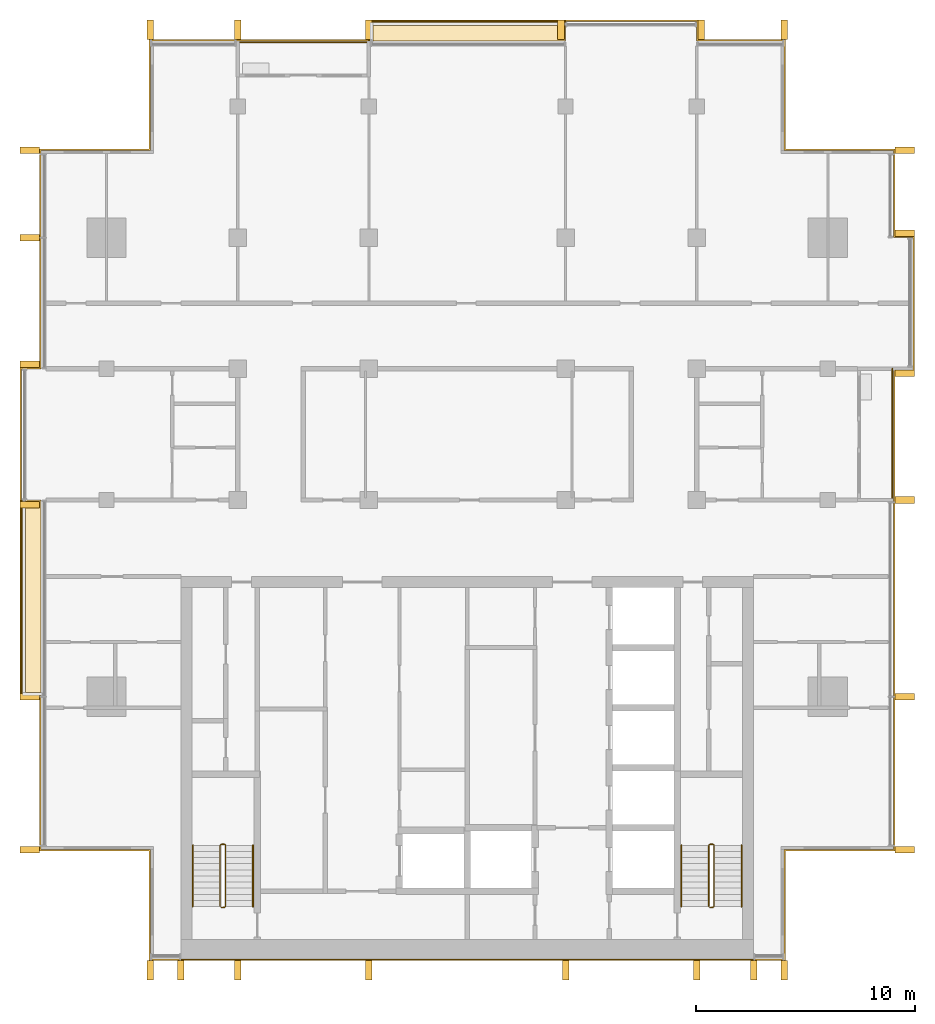
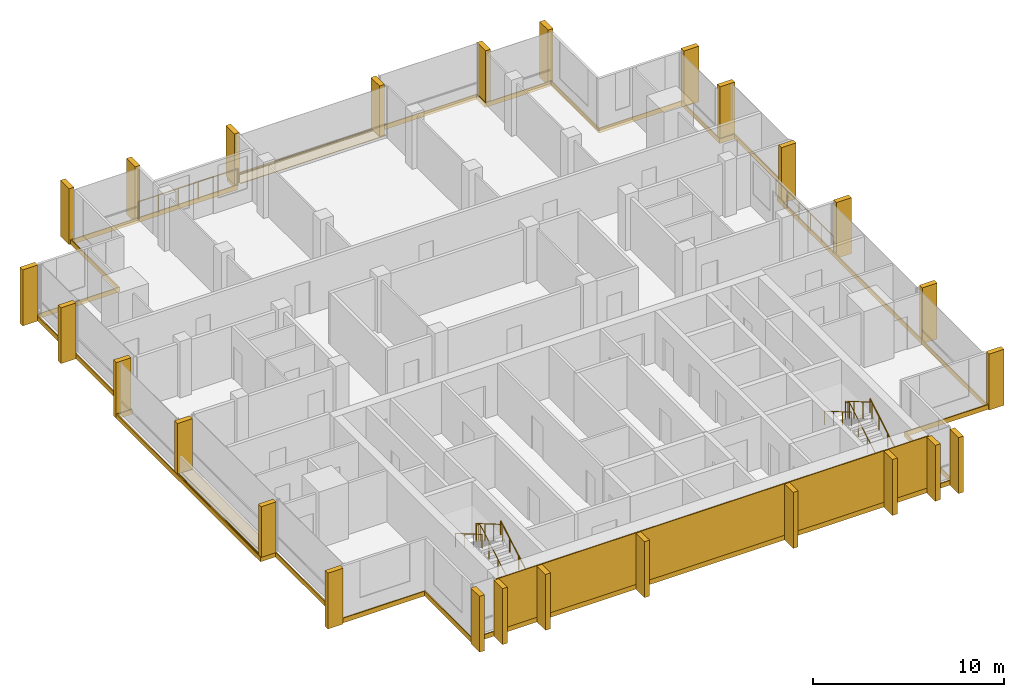
# One storey, part 15 of 15: 26 shading devices, 10 coverings, 8 railings.
"""IFC4 building model written with IfcOpenShell, lengths in metres."""

import ifcopenshell
import ifcopenshell.guid

model = None  # the IFC model being written
_history = None  # IfcOwnerHistory: only IFC2X3 demands one
_inside = {}  # id of a spatial element -> (the spatial element, [elements in it])
_under = {}  # id of a project, library or spatial element -> (it, [spatial elements below it])
_declared = {}  # id of a project -> (the project, [libraries it declares])
_typed = {}  # id of a type object -> (the type object, [elements of that type])
_made_of = {}  # id of a material, layer set ... -> (it, [elements and type objects made of it])


def new_model(schema):
    """Start an empty IFC model of exactly this schema.

    Asked for "IFC4X3", IfcOpenShell would pick the latest addendum, in which some entities
    have other attributes; the version numbers below select the first issue.
    IFC2X3 requires an IfcOwnerHistory on every rooted entity: one is made here for all.
    """
    global model, _history
    if schema == "IFC4X3":
        model = ifcopenshell.file(schema_version=(4, 3, 0, 0))
    else:
        model = ifcopenshell.file(schema=schema)
    _inside.clear()
    _under.clear()
    _declared.clear()
    _typed.clear()
    _made_of.clear()
    _history = None
    if model.schema == "IFC2X3":
        org = make("IfcOrganization", Name="unknown")
        user = make(
            "IfcPersonAndOrganization",
            ThePerson=make("IfcPerson", FamilyName="unknown"),
            TheOrganization=org,
        )
        app = make(
            "IfcApplication",
            ApplicationDeveloper=org,
            Version="unknown",
            ApplicationFullName="unknown",
            ApplicationIdentifier="unknown",
        )
        _history = make(
            "IfcOwnerHistory",
            OwningUser=user,
            OwningApplication=app,
            ChangeAction="ADDED",
            CreationDate=0,
        )
    return model


def make(cls, **values):
    """One entity of the class cls with the attributes given. An attribute that is None is left unset."""
    return model.create_entity(
        cls, **{name: value for name, value in values.items() if value is not None}
    )


def rooted(cls, **values):
    """An entity with a GlobalId (a new one), such as an element, a storey or a relation."""
    return make(cls, GlobalId=ifcopenshell.guid.new(), OwnerHistory=_history, **values)


def si_unit(unit_type, name, prefix=None):
    """IfcSIUnit, for example si_unit("LENGTHUNIT", "METRE", prefix="MILLI")."""
    return make("IfcSIUnit", UnitType=unit_type, Prefix=prefix, Name=name)


def assignment(units):
    """IfcUnitAssignment: the units of a project."""
    return None if units is None else make("IfcUnitAssignment", Units=units)


def point(xyz):
    """IfcCartesianPoint."""
    return None if xyz is None else make("IfcCartesianPoint", Coordinates=xyz)


def direction(xyz):
    """IfcDirection."""
    return None if xyz is None else make("IfcDirection", DirectionRatios=xyz)


def frame(location, z_axis=None, x_axis=None):
    """IfcAxis2Placement3D, a coordinate frame: its origin and axes. An axis left out is left unset."""
    return make(
        "IfcAxis2Placement3D",
        Location=point(location),
        Axis=direction(z_axis),
        RefDirection=direction(x_axis),
    )


def frame_2d(location, x_axis=None):
    """IfcAxis2Placement2D, a coordinate frame in the plane: its origin and x axis."""
    return make(
        "IfcAxis2Placement2D", Location=point(location), RefDirection=direction(x_axis)
    )


def origin():
    """The frame at (0, 0, 0) with its axes left unset."""
    return frame((0.0, 0.0, 0.0))


def origin_2d():
    """The frame at (0, 0) in the plane with its x axis left unset."""
    return frame_2d((0.0, 0.0))


def place(relative_to, where):
    """IfcLocalPlacement: puts the frame where relative to a parent placement (None: the world)."""
    return make(
        "IfcLocalPlacement", PlacementRelTo=relative_to, RelativePlacement=where
    )


def context(
    kind, dimensions, precision=None, world=None, true_north=None, identifier=None
):
    """IfcGeometricRepresentationContext, for example the 3D "Model" context."""
    return make(
        "IfcGeometricRepresentationContext",
        ContextIdentifier=identifier,
        ContextType=kind,
        CoordinateSpaceDimension=dimensions,
        Precision=precision,
        WorldCoordinateSystem=world,
        TrueNorth=true_north,
    )


def subcontext(parent, identifier, kind, view, scale=None):
    """IfcGeometricRepresentationSubContext, for example "Body" below "Model"."""
    return make(
        "IfcGeometricRepresentationSubContext",
        ContextIdentifier=identifier,
        ContextType=kind,
        ParentContext=parent,
        TargetScale=scale,
        TargetView=view,
    )


def project(units=None, contexts=None):
    """IfcProject with its units and contexts."""
    return rooted(
        "IfcProject",
        Name="project",
        RepresentationContexts=contexts,
        UnitsInContext=assignment(units),
    )


def spatial(cls, under=None, at=None, **own):
    """A site, building, storey or space (cls), placed at a placement, below another one or the project."""
    s = rooted(cls, ObjectPlacement=at, **own)
    if under is not None:
        _under.setdefault(under.id(), (under, []))[1].append(s)
    return s


def polyline(points):
    """IfcPolyline through the points."""
    return make("IfcPolyline", Points=[point(p) for p in points])


def profile(cls, at=None, kind="AREA", **sizes):
    """A parametric profile (cls). Its sizes go by their IFC names, for example OverallWidth=200.0."""
    return make(cls, ProfileType=kind, Position=at, **sizes)


def rectangle(**sizes):
    """IfcRectangleProfileDef."""
    return profile("IfcRectangleProfileDef", **sizes)


def circle(**sizes):
    """IfcCircleProfileDef."""
    return profile("IfcCircleProfileDef", **sizes)


def outline(outer, holes=None, kind="AREA"):
    """IfcArbitraryClosedProfileDef: a profile drawn as a closed curve; with holes, ...WithVoids."""
    if holes is None:
        return make("IfcArbitraryClosedProfileDef", ProfileType=kind, OuterCurve=outer)
    return make(
        "IfcArbitraryProfileDefWithVoids",
        ProfileType=kind,
        OuterCurve=outer,
        InnerCurves=holes,
    )


def extrude(swept, where, along, depth):
    """IfcExtrudedAreaSolid: the profile swept, set in the frame where, extruded along a direction by depth."""
    return make(
        "IfcExtrudedAreaSolid",
        SweptArea=swept,
        Position=where,
        ExtrudedDirection=direction(along),
        Depth=depth,
    )


def shape(context_of_items, identifier, shape_type, items):
    """IfcShapeRepresentation: the items that make up one representation, for example the "Body"."""
    return make(
        "IfcShapeRepresentation",
        ContextOfItems=context_of_items,
        RepresentationIdentifier=identifier,
        RepresentationType=shape_type,
        Items=items,
    )


def material(Name=None, Category=None):
    """IfcMaterial."""
    return make("IfcMaterial", Name=Name, Category=Category)


def layer(
    of_material, thickness, ventilated=None, Name=None, Category=None, Priority=None
):
    """IfcMaterialLayer: one layer of a wall or slab, of a material (None: an air gap)."""
    return make(
        "IfcMaterialLayer",
        Material=of_material,
        LayerThickness=thickness,
        IsVentilated=ventilated,
        Name=Name,
        Category=Category,
        Priority=Priority,
    )


def layer_set(layers, Name=None):
    """IfcMaterialLayerSet."""
    return make("IfcMaterialLayerSet", MaterialLayers=layers, LayerSetName=Name)


def made_of(thing, what):
    """Note that an element or type object is made of a material, layer set ...; save() writes the relation."""
    if what is not None:
        _made_of.setdefault(what.id(), (what, []))[1].append(thing)
    return thing


def type_object(cls, material=None, **own):
    """A type object (cls), such as IfcWallType, which elements share."""
    return made_of(rooted(cls, **own), material)


def element(
    cls,
    number,
    at=None,
    inside=None,
    cuts=None,
    type_object=None,
    material=None,
    context=None,
    identifier="Body",
    shape_type=None,
    held_by="IfcProductDefinitionShape",
    body=None,
    shapes=None,
    **own,
):
    """One element of the class cls, such as IfcWall. Its Tag is "e" and its number.

    at: its placement. inside: the storey or other place that contains it. cuts: it is an
    opening in that element (IfcRelVoidsElement). A single representation is given by context,
    identifier, shape_type and body (its items); several are given by shapes. held_by: the class
    of the entity that holds the representations. save() writes the other relations.
    """
    e = rooted(cls, Tag="e%d" % number, ObjectPlacement=at, **own)
    if body is not None:
        shapes = [shape(context, identifier, shape_type, body)]
    if shapes is not None:
        e.Representation = make(held_by, Representations=shapes)
    if inside is not None:
        _inside.setdefault(inside.id(), (inside, []))[1].append(e)
    if cuts is not None:
        rooted(
            "IfcRelVoidsElement", RelatingBuildingElement=cuts, RelatedOpeningElement=e
        )
    if type_object is not None:
        _typed.setdefault(type_object.id(), (type_object, []))[1].append(e)
    return made_of(e, material)


def aggregate(whole, parts):
    """IfcRelAggregates: a whole, such as a stair, and the parts it consists of."""
    return rooted("IfcRelAggregates", RelatingObject=whole, RelatedObjects=parts)


def save(model, path):
    """Write the relations noted so far, then the file.

    IfcRelAggregates (storeys below a building ...), IfcRelContainedInSpatialStructure (elements
    in a storey), IfcRelDefinesByType, IfcRelAssociatesMaterial and IfcRelDeclares: one each for
    every whole, place, type object, material and project.
    """
    for whole, parts in _under.values():
        aggregate(whole, parts)
    for where, things in _inside.values():
        rooted(
            "IfcRelContainedInSpatialStructure",
            RelatedElements=things,
            RelatingStructure=where,
        )
    for kind, things in _typed.values():
        rooted("IfcRelDefinesByType", RelatedObjects=things, RelatingType=kind)
    for what, things in _made_of.values():
        rooted("IfcRelAssociatesMaterial", RelatedObjects=things, RelatingMaterial=what)
    for by, libraries in _declared.values():
        rooted("IfcRelDeclares", RelatingContext=by, RelatedDefinitions=libraries)
    model.write(path)


model = new_model("IFC4")

# Units and contexts
model_context = context("Model", 3, precision=1e-05, world=origin(), true_north=direction((0.0, 1.0)))
body_context = subcontext(model_context, "Body", "Model", "MODEL_VIEW")
ifc_project = project(units=[si_unit("LENGTHUNIT", "METRE"), si_unit("AREAUNIT", "SQUARE_METRE"), si_unit("VOLUMEUNIT", "CUBIC_METRE"), si_unit("PLANEANGLEUNIT", "RADIAN"), si_unit("MASSUNIT", "GRAM", prefix="KILO")], contexts=[model_context])

# Site, building, storey
site_placement = place(None, origin())
site = spatial("IfcSite", under=ifc_project, at=site_placement, CompositionType="ELEMENT")
building_placement = place(site_placement, origin())
building = spatial("IfcBuilding", under=site, at=building_placement, Name="Finial Court Residences", CompositionType="ELEMENT")
storey_placement = place(building_placement, frame((0.0, 0.0, 269.89990234375)))
storey = spatial("IfcBuildingStorey", under=building, at=storey_placement, Name="L68", CompositionType="ELEMENT", Elevation=269.89990234375)

# Railings
ifc_material_1 = material(Name="Bronze anodised aluminium", Category="aluminium")
railing_type_1 = type_object("IfcRailingType", Name="Balcony guard 1100", PredefinedType="GUARDRAIL", material=ifc_material_1)
railing_1_placement = place(storey_placement, frame((-10.5, 16.449951171875, 0.0)))
element("IfcRailing", 1, at=railing_1_placement, inside=storey, type_object=railing_type_1, Name="E-L68-BALN2-R", PredefinedType="GUARDRAIL", context=body_context, shape_type="SweptSolid", body=[
    extrude(circle(Radius=0.02392578125, at=origin_2d()), frame((0.0, 0.0, 1.076171875), z_axis=(1.0, 0.0, 0.0), x_axis=(0.0, 1.0, 0.0)), (0.0, 0.0, 1.0), 6.0),
    extrude(circle(Radius=0.02099609375, at=origin_2d()), origin(), (0.0, 0.0, 1.0), 1.052001953125),
    extrude(circle(Radius=0.02099609375, at=origin_2d()), frame((1.199951171875, 0.0, 0.0)), (0.0, 0.0, 1.0), 1.052001953125),
    extrude(circle(Radius=0.02099609375, at=origin_2d()), frame((2.39990234375, 0.0, 0.0)), (0.0, 0.0, 1.0), 1.052001953125),
    extrude(circle(Radius=0.02099609375, at=origin_2d()), frame((3.60009765625, 0.0, 0.0)), (0.0, 0.0, 1.0), 1.052001953125),
    extrude(circle(Radius=0.02099609375, at=origin_2d()), frame((4.800048828125, 0.0, 0.0)), (0.0, 0.0, 1.0), 1.052001953125),
    extrude(circle(Radius=0.02099609375, at=origin_2d()), frame((6.0, 0.0, 0.0)), (0.0, 0.0, 1.0), 1.052001953125),
])
railing_2_placement = place(storey_placement, frame((19.449951171875, -4.5, 0.0)))
element("IfcRailing", 2, at=railing_2_placement, inside=storey, type_object=railing_type_1, Name="E-L68-BALE3-R", PredefinedType="GUARDRAIL", context=body_context, shape_type="SweptSolid", body=[
    extrude(circle(Radius=0.02392578125, at=origin_2d()), frame((0.0, 0.0, 1.076171875), z_axis=(0.0, 1.0, 0.0), x_axis=(-1.0, 0.0, 0.0)), (0.0, 0.0, 1.0), 6.0),
    extrude(circle(Radius=0.02099609375, at=origin_2d()), origin(), (0.0, 0.0, 1.0), 1.052001953125),
    extrude(circle(Radius=0.02099609375, at=origin_2d()), frame((0.0, 1.199951171875, 0.0)), (0.0, 0.0, 1.0), 1.052001953125),
    extrude(circle(Radius=0.02099609375, at=origin_2d()), frame((0.0, 2.39990234375, 0.0)), (0.0, 0.0, 1.0), 1.052001953125),
    extrude(circle(Radius=0.02099609375, at=origin_2d()), frame((0.0, 3.60009765625, 0.0)), (0.0, 0.0, 1.0), 1.052001953125),
    extrude(circle(Radius=0.02099609375, at=origin_2d()), frame((0.0, 4.800048828125, 0.0)), (0.0, 0.0, 1.0), 1.052001953125),
    extrude(circle(Radius=0.02099609375, at=origin_2d()), frame((0.0, 6.0, 0.0)), (0.0, 0.0, 1.0), 1.052001953125),
])

# Coverings
ifc_material_2 = material(Name="Natural limestone", Category="masonry")
ifc_layer_1 = layer(ifc_material_2, 0.06005859375)
ifc_layer_set_1 = layer_set([ifc_layer_1], Name="Limestone cladding to the blind core face 60")
covering_type_1 = type_object("IfcCoveringType", Name="Limestone cladding to the blind core face 60", PredefinedType="CLADDING", material=ifc_layer_set_1)
covering_1_placement = place(storey_placement, origin())
element("IfcCovering", 3, at=covering_1_placement, inside=storey, type_object=covering_type_1, Name="E-L68-CLAD1", PredefinedType="CLADDING", context=body_context, shape_type="SweptSolid", body=[
    extrude(outline(polyline([(-10.5, -25.56005859375), (-10.5, -25.5), (-13.10009765625, -25.5), (-13.10009765625, -25.56005859375), (-10.5, -25.56005859375)])), origin(), (0.0, 0.0, 1.0), 3.300048828125),
])
covering_2_placement = place(storey_placement, origin())
element("IfcCovering", 4, at=covering_2_placement, inside=storey, type_object=covering_type_1, Name="E-L68-CLAD2", PredefinedType="CLADDING", context=body_context, shape_type="SweptSolid", body=[
    extrude(outline(polyline([(-4.5, -25.56005859375), (-4.5, -25.5), (-10.5, -25.5), (-10.5, -25.56005859375), (-4.5, -25.56005859375)])), origin(), (0.0, 0.0, 1.0), 3.300048828125),
])
covering_3_placement = place(storey_placement, origin())
element("IfcCovering", 5, at=covering_3_placement, inside=storey, type_object=covering_type_1, Name="E-L68-CLAD3", PredefinedType="CLADDING", context=body_context, shape_type="SweptSolid", body=[
    extrude(outline(polyline([(4.5, -25.56005859375), (4.5, -25.5), (-4.5, -25.5), (-4.5, -25.56005859375), (4.5, -25.56005859375)])), origin(), (0.0, 0.0, 1.0), 3.300048828125),
])
covering_4_placement = place(storey_placement, origin())
element("IfcCovering", 6, at=covering_4_placement, inside=storey, type_object=covering_type_1, Name="E-L68-CLAD4", PredefinedType="CLADDING", context=body_context, shape_type="SweptSolid", body=[
    extrude(outline(polyline([(10.5, -25.56005859375), (10.5, -25.5), (4.5, -25.5), (4.5, -25.56005859375), (10.5, -25.56005859375)])), origin(), (0.0, 0.0, 1.0), 3.300048828125),
])
covering_5_placement = place(storey_placement, origin())
element("IfcCovering", 7, at=covering_5_placement, inside=storey, type_object=covering_type_1, Name="E-L68-CLAD5", PredefinedType="CLADDING", context=body_context, shape_type="SweptSolid", body=[
    extrude(outline(polyline([(13.10009765625, -25.56005859375), (13.10009765625, -25.5), (10.5, -25.5), (10.5, -25.56005859375), (13.10009765625, -25.56005859375)])), origin(), (0.0, 0.0, 1.0), 3.300048828125),
])

# Shading devices
shading_device_type = type_object("IfcShadingDeviceType", Name="Limestone fin 300 x 900", PredefinedType="USERDEFINED", material=ifc_material_2)
for number, where, z_axis, x_axis, name in (
    (8, (-14.5, 17.010009765625, -0.300048828125), (0.0, 0.0, 1.0), (1.0, 0.0, 0.0), "E-L68-FIN-N1"),
    (9, (-10.5, 17.010009765625, -0.300048828125), (0.0, 0.0, 1.0), (1.0, 0.0, 0.0), "E-L68-FIN-N2"),
):
    element("IfcShadingDevice", number, at=place(storey_placement, frame(where, z_axis=z_axis, x_axis=x_axis)), inside=storey, type_object=shading_device_type, Name=name, ObjectType="FIN", PredefinedType="USERDEFINED", context=body_context, shape_type="SweptSolid", body=[
        extrude(rectangle(XDim=0.300048828125, YDim=0.89990234375, at=origin_2d()), origin(), (0.0, 0.0, 1.0), 3.580078125),
    ])
for number, where, z_axis, x_axis, name in (
    (10, (-4.5, 17.010009765625, 0.0400390625), (0.0, 0.0, 1.0), (1.0, 0.0, 0.0), "E-L68-FIN-N3"),
    (11, (4.2900390625, 17.010009765625, 0.0400390625), (0.0, 0.0, 1.0), (1.0, 0.0, 0.0), "E-L68-FIN-N4"),
):
    element("IfcShadingDevice", number, at=place(storey_placement, frame(where, z_axis=z_axis, x_axis=x_axis)), inside=storey, type_object=shading_device_type, Name=name, ObjectType="FIN", PredefinedType="USERDEFINED", context=body_context, shape_type="SweptSolid", body=[
        extrude(rectangle(XDim=0.300048828125, YDim=0.89990234375, at=origin_2d()), origin(), (0.0, 0.0, 1.0), 3.239990234375),
    ])
for number, where, z_axis, x_axis, name in (
    (12, (10.7099609375, 17.010009765625, -0.300048828125), (0.0, 0.0, 1.0), (1.0, 0.0, 0.0), "E-L68-FIN-N5"),
    (13, (14.5, 17.010009765625, -0.300048828125), (0.0, 0.0, 1.0), (1.0, 0.0, 0.0), "E-L68-FIN-N6"),
):
    element("IfcShadingDevice", number, at=place(storey_placement, frame(where, z_axis=z_axis, x_axis=x_axis)), inside=storey, type_object=shading_device_type, Name=name, ObjectType="FIN", PredefinedType="USERDEFINED", context=body_context, shape_type="SweptSolid", body=[
        extrude(rectangle(XDim=0.300048828125, YDim=0.89990234375, at=origin_2d()), origin(), (0.0, 0.0, 1.0), 3.580078125),
    ])
for number, where, z_axis, x_axis, name in (
    (14, (20.010009765625, -20.5, -0.300048828125), (0.0, 0.0, 1.0), (1.0, 0.0, 0.0), "E-L68-FIN-E7"),
    (15, (20.010009765625, -13.5, -0.300048828125), (0.0, 0.0, 1.0), (1.0, 0.0, 0.0), "E-L68-FIN-E8"),
    (16, (20.010009765625, -4.5, -0.300048828125), (0.0, 0.0, 1.0), (1.0, 0.0, 0.0), "E-L68-FIN-E9"),
    (17, (20.010009765625, 1.2900390625, -0.300048828125), (0.0, 0.0, 1.0), (1.0, 0.0, 0.0), "E-L68-FIN-E10"),
    (18, (20.010009765625, 7.7099609375, -0.300048828125), (0.0, 0.0, 1.0), (1.0, 0.0, 0.0), "E-L68-FIN-E11"),
    (19, (20.010009765625, 11.5, -0.300048828125), (0.0, 0.0, 1.0), (1.0, 0.0, 0.0), "E-L68-FIN-E12"),
):
    element("IfcShadingDevice", number, at=place(storey_placement, frame(where, z_axis=z_axis, x_axis=x_axis)), inside=storey, type_object=shading_device_type, Name=name, ObjectType="FIN", PredefinedType="USERDEFINED", context=body_context, shape_type="SweptSolid", body=[
        extrude(rectangle(XDim=0.89990234375, YDim=0.300048828125, at=origin_2d()), origin(), (0.0, 0.0, 1.0), 3.580078125),
    ])
for number, where, z_axis, x_axis, name in (
    (20, (-14.5, -26.010009765625, -0.300048828125), (0.0, 0.0, 1.0), (1.0, 0.0, 0.0), "E-L68-FIN-S13"),
    (21, (-13.10009765625, -26.010009765625, -0.300048828125), (0.0, 0.0, 1.0), (1.0, 0.0, 0.0), "E-L68-FIN-S14"),
    (22, (-10.5, -26.010009765625, -0.300048828125), (0.0, 0.0, 1.0), (1.0, 0.0, 0.0), "E-L68-FIN-S15"),
    (23, (-4.5, -26.010009765625, -0.300048828125), (0.0, 0.0, 1.0), (1.0, 0.0, 0.0), "E-L68-FIN-S16"),
    (24, (4.5, -26.010009765625, -0.300048828125), (0.0, 0.0, 1.0), (1.0, 0.0, 0.0), "E-L68-FIN-S17"),
    (25, (10.5, -26.010009765625, -0.300048828125), (0.0, 0.0, 1.0), (1.0, 0.0, 0.0), "E-L68-FIN-S18"),
    (26, (13.10009765625, -26.010009765625, -0.300048828125), (0.0, 0.0, 1.0), (1.0, 0.0, 0.0), "E-L68-FIN-S19"),
    (27, (14.5, -26.010009765625, -0.300048828125), (0.0, 0.0, 1.0), (1.0, 0.0, 0.0), "E-L68-FIN-S20"),
):
    element("IfcShadingDevice", number, at=place(storey_placement, frame(where, z_axis=z_axis, x_axis=x_axis)), inside=storey, type_object=shading_device_type, Name=name, ObjectType="FIN", PredefinedType="USERDEFINED", context=body_context, shape_type="SweptSolid", body=[
        extrude(rectangle(XDim=0.300048828125, YDim=0.89990234375, at=origin_2d()), origin(), (0.0, 0.0, 1.0), 3.580078125),
    ])
shading_device_placement = place(storey_placement, frame((-20.010009765625, -20.5, -0.300048828125), z_axis=(0.0, 0.0, 1.0), x_axis=(1.0, 0.0, 0.0)))
element("IfcShadingDevice", 28, at=shading_device_placement, inside=storey, type_object=shading_device_type, Name="E-L68-FIN-W21", ObjectType="FIN", PredefinedType="USERDEFINED", context=body_context, shape_type="SweptSolid", body=[
    extrude(rectangle(XDim=0.89990234375, YDim=0.300048828125, at=origin_2d()), origin(), (0.0, 0.0, 1.0), 3.580078125),
])
for number, where, z_axis, x_axis, name in (
    (29, (-20.010009765625, -13.5, 0.0400390625), (0.0, 0.0, 1.0), (1.0, 0.0, 0.0), "E-L68-FIN-W22"),
    (30, (-20.010009765625, -4.7099609375, 0.0400390625), (0.0, 0.0, 1.0), (1.0, 0.0, 0.0), "E-L68-FIN-W23"),
):
    element("IfcShadingDevice", number, at=place(storey_placement, frame(where, z_axis=z_axis, x_axis=x_axis)), inside=storey, type_object=shading_device_type, Name=name, ObjectType="FIN", PredefinedType="USERDEFINED", context=body_context, shape_type="SweptSolid", body=[
        extrude(rectangle(XDim=0.89990234375, YDim=0.300048828125, at=origin_2d()), origin(), (0.0, 0.0, 1.0), 3.239990234375),
    ])
for number, where, z_axis, x_axis, name in (
    (31, (-20.010009765625, 1.7099609375, -0.300048828125), (0.0, 0.0, 1.0), (1.0, 0.0, 0.0), "E-L68-FIN-W24"),
    (32, (-20.010009765625, 7.5, -0.300048828125), (0.0, 0.0, 1.0), (1.0, 0.0, 0.0), "E-L68-FIN-W25"),
    (33, (-20.010009765625, 11.5, -0.300048828125), (0.0, 0.0, 1.0), (1.0, 0.0, 0.0), "E-L68-FIN-W26"),
):
    element("IfcShadingDevice", number, at=place(storey_placement, frame(where, z_axis=z_axis, x_axis=x_axis)), inside=storey, type_object=shading_device_type, Name=name, ObjectType="FIN", PredefinedType="USERDEFINED", context=body_context, shape_type="SweptSolid", body=[
        extrude(rectangle(XDim=0.89990234375, YDim=0.300048828125, at=origin_2d()), origin(), (0.0, 0.0, 1.0), 3.580078125),
    ])

# Coverings
ifc_material_3 = material(Name="Pale limestone", Category="masonry")
ifc_layer_2 = layer(ifc_material_3, 0.06005859375)
ifc_layer_set_2 = layer_set([ifc_layer_2], Name="Pale limestone slab-edge band 60")
covering_type_2 = type_object("IfcCoveringType", Name="Pale limestone slab-edge band 60", PredefinedType="CLADDING", material=ifc_layer_set_2)
covering_6_placement = place(storey_placement, frame((0.0, 0.0, -0.2998046875)))
element("IfcCovering", 34, at=covering_6_placement, inside=storey, type_object=covering_type_2, Name="E-L68-BAND1", PredefinedType="CLADDING", context=body_context, shape_type="SweptSolid", body=[
    extrude(outline(polyline([(-19.56005859375, 1.56005859375), (-19.56005859375, 11.56005859375), (-14.56005859375, 11.56005859375), (-14.56005859375, 16.56005859375), (-4.56005859375, 16.56005859375), (-4.56005859375, 17.4599609375), (10.56005859375, 17.4599609375), (10.56005859375, 16.56005859375), (14.56005859375, 16.56005859375), (14.56005859375, 11.56005859375), (19.56005859375, 11.56005859375), (19.56005859375, 7.56005859375), (20.4599609375, 7.56005859375), (20.4599609375, 1.43994140625), (19.56005859375, 1.43994140625), (19.56005859375, -20.56005859375), (14.56005859375, -20.56005859375), (14.56005859375, -25.56005859375), (-14.56005859375, -25.56005859375), (-14.56005859375, -20.56005859375), (-19.56005859375, -20.56005859375), (-19.56005859375, -13.56005859375), (-20.4599609375, -13.56005859375), (-20.4599609375, 1.56005859375), (-19.56005859375, 1.56005859375)]), holes=[polyline([(-20.39990234375, -13.5), (-19.5, -13.5), (-19.5, -20.5), (-14.5, -20.5), (-14.5, -25.5), (14.5, -25.5), (14.5, -20.5), (19.5, -20.5), (19.5, -4.5), (19.5, 1.5), (20.39990234375, 1.5), (20.39990234375, 7.5), (19.5, 7.5), (19.5, 11.5), (14.5, 11.5), (14.5, 16.5), (10.5, 16.5), (10.5, 17.39990234375), (4.5, 17.39990234375), (-4.5, 17.39990234375), (-4.5, 16.5), (-10.5, 16.5), (-14.5, 16.5), (-14.5, 11.5), (-19.5, 11.5), (-19.5, 1.5), (-20.39990234375, 1.5), (-20.39990234375, -4.5), (-20.39990234375, -13.5)])]), origin(), (0.0, 0.0, 1.0), 0.2998046875),
])
ifc_material_4 = material(Name="Bitumen membrane")
ifc_layer_3 = layer(ifc_material_4, 0.0400390625)
ifc_layer_set_3 = layer_set([ifc_layer_3], Name="Push box roofing, bitumen membrane 40")
covering_type_3 = type_object("IfcCoveringType", Name="Push box roofing, bitumen membrane 40", PredefinedType="ROOFING", material=ifc_layer_set_3)
covering_7_placement = place(storey_placement, origin())
element("IfcCovering", 35, at=covering_7_placement, inside=storey, type_object=covering_type_3, Name="E-L68-LED1", PredefinedType="ROOFING", context=body_context, shape_type="SweptSolid", body=[
    extrude(outline(polyline([(-4.300048828125, 16.5), (-4.300048828125, 17.199951171875), (4.5, 17.199951171875), (4.5, 16.5), (-4.300048828125, 16.5)])), origin(), (0.0, 0.0, 1.0), 0.0400390625),
])
covering_8_placement = place(storey_placement, origin())
element("IfcCovering", 36, at=covering_8_placement, inside=storey, type_object=covering_type_3, Name="E-L68-LED1b", PredefinedType="ROOFING", context=body_context, shape_type="SweptSolid", body=[
    extrude(outline(polyline([(-4.5, 16.5), (-4.5, 17.39990234375), (4.5, 17.39990234375), (4.5, 17.35009765625), (-4.300048828125, 17.35009765625), (-4.300048828125, 17.35009765625), (-4.449951171875, 17.35009765625), (-4.449951171875, 16.5), (-4.5, 16.5)])), origin(), (0.0, 0.0, 1.0), 0.0400390625),
])
covering_9_placement = place(storey_placement, origin())
element("IfcCovering", 37, at=covering_9_placement, inside=storey, type_object=covering_type_3, Name="E-L68-LED2", PredefinedType="ROOFING", context=body_context, shape_type="SweptSolid", body=[
    extrude(outline(polyline([(-19.5, -13.300048828125), (-20.199951171875, -13.300048828125), (-20.199951171875, -4.5), (-19.5, -4.5), (-19.5, -13.300048828125)])), origin(), (0.0, 0.0, 1.0), 0.0400390625),
])
covering_10_placement = place(storey_placement, origin())
element("IfcCovering", 38, at=covering_10_placement, inside=storey, type_object=covering_type_3, Name="E-L68-LED2b", PredefinedType="ROOFING", context=body_context, shape_type="SweptSolid", body=[
    extrude(outline(polyline([(-19.5, -13.5), (-20.39990234375, -13.5), (-20.39990234375, -4.5), (-20.35009765625, -4.5), (-20.35009765625, -13.300048828125), (-20.35009765625, -13.300048828125), (-20.35009765625, -13.449951171875), (-19.5, -13.449951171875), (-19.5, -13.5)])), origin(), (0.0, 0.0, 1.0), 0.0400390625),
])

# Railings
ifc_material_5 = material(Name="Stainless steel railing", Category="steel")
railing_type_2 = type_object("IfcRailingType", Name="Stair guard 1100", PredefinedType="GUARDRAIL", material=ifc_material_5)
railing_3_placement = place(storey_placement, frame((-11.10009765625, -23.14990234375, 0.0)))
element("IfcRailing", 39, at=railing_3_placement, inside=storey, type_object=railing_type_2, Name="L68 ST-1 stair guard 1", PredefinedType="GUARDRAIL", context=body_context, shape_type="SweptSolid", body=[
    extrude(circle(Radius=0.02392578125, at=origin_2d()), frame((0.0, 0.0, 1.076171875), z_axis=(-1.0, 0.0, 0.0), x_axis=(0.0, -1.0, 0.0)), (0.0, 0.0, 1.0), 0.14990234375),
    extrude(circle(Radius=0.02392578125, at=origin_2d()), frame((-0.14990234375, 0.0, 1.076171875), z_axis=(0.759565762229, 0.189195867515, 0.622306015208), x_axis=(-0.241699205484, 0.970351222016, 0.0)), (0.0, 0.0, 1.0), 0.26318359375),
    extrude(circle(Radius=0.02392578125, at=origin_2d()), frame((0.050048828125, 0.0498046875, 1.23974609375), z_axis=(0.0, 0.863393664356, 0.504530851732), x_axis=(-1.0, 0.0, 0.0)), (0.0, 0.0, 1.0), 3.2431640625),
    extrude(circle(Radius=0.02392578125, at=origin_2d()), frame((0.050048828125, 2.849853515625, 2.8759765625), z_axis=(-0.707106781187, 0.707106781187, 0.0), x_axis=(-0.707106781187, -0.707106781187, 0.0)), (0.0, 0.0, 1.0), 0.07080078125),
    extrude(circle(Radius=0.02392578125, at=origin_2d()), frame((0.0, 2.89990234375, 2.8759765625), z_axis=(-1.0, 0.0, 0.0), x_axis=(0.0, -1.0, 0.0)), (0.0, 0.0, 1.0), 0.14990234375),
    extrude(circle(Radius=0.02392578125, at=origin_2d()), frame((-0.14990234375, 2.89990234375, 2.8759765625), z_axis=(-0.280808744504, -0.280808744504, 0.917765164963), x_axis=(0.707106781187, -0.707106781187, 0.0)), (0.0, 0.0, 1.0), 0.17822265625),
    extrude(circle(Radius=0.02392578125, at=origin_2d()), frame((-0.199951171875, 2.849853515625, 3.03955078125), z_axis=(0.0, -0.863360870873, 0.504586966384), x_axis=(1.0, 0.0, 0.0)), (0.0, 0.0, 1.0), 3.2431640625),
    extrude(circle(Radius=0.02099609375, at=origin_2d()), origin(), (0.0, 0.0, 1.0), 1.052001953125),
    extrude(circle(Radius=0.02099609375, at=origin_2d()), frame((-0.14990234375, 0.0, 0.0)), (0.0, 0.0, 1.0), 1.052001953125),
    extrude(circle(Radius=0.02099609375, at=origin_2d()), frame((0.050048828125, 0.0498046875, 0.163818359375)), (0.0, 0.0, 1.0), 1.052001953125),
    extrude(circle(Radius=0.02099609375, at=origin_2d()), frame((0.050048828125, 0.983154296875, 0.709228515625)), (0.0, 0.0, 1.0), 1.052001953125),
    extrude(circle(Radius=0.02099609375, at=origin_2d()), frame((0.050048828125, 1.91650390625, 1.254638671875)), (0.0, 0.0, 1.0), 1.052001953125),
    extrude(circle(Radius=0.02099609375, at=origin_2d()), frame((0.050048828125, 2.849853515625, 1.800048828125)), (0.0, 0.0, 1.0), 1.052001953125),
    extrude(circle(Radius=0.02099609375, at=origin_2d()), frame((0.0, 2.89990234375, 1.800048828125)), (0.0, 0.0, 1.0), 1.052001953125),
    extrude(circle(Radius=0.02099609375, at=origin_2d()), frame((-0.14990234375, 2.89990234375, 1.800048828125)), (0.0, 0.0, 1.0), 1.052001953125),
    extrude(circle(Radius=0.02099609375, at=origin_2d()), frame((-0.199951171875, 2.849853515625, 1.963623046875)), (0.0, 0.0, 1.0), 1.052001953125),
    extrude(circle(Radius=0.02099609375, at=origin_2d()), frame((-0.199951171875, 1.91650390625, 2.509033203125)), (0.0, 0.0, 1.0), 1.052001953125),
    extrude(circle(Radius=0.02099609375, at=origin_2d()), frame((-0.199951171875, 0.983154296875, 3.0546875)), (0.0, 0.0, 1.0), 1.052001953125),
    extrude(circle(Radius=0.02099609375, at=origin_2d()), frame((-0.199951171875, 0.0498046875, 3.60009765625)), (0.0, 0.0, 1.0), 1.052001953125),
])
railing_4_placement = place(storey_placement, frame((11.25, -23.14990234375, 0.0)))
element("IfcRailing", 40, at=railing_4_placement, inside=storey, type_object=railing_type_2, Name="L68 ST-2 stair guard 1", PredefinedType="GUARDRAIL", context=body_context, shape_type="SweptSolid", body=[
    extrude(circle(Radius=0.02392578125, at=origin_2d()), frame((0.0, 0.0, 1.076171875), z_axis=(-1.0, 0.0, 0.0), x_axis=(0.0, -1.0, 0.0)), (0.0, 0.0, 1.0), 0.14990234375),
    extrude(circle(Radius=0.02392578125, at=origin_2d()), frame((-0.14990234375, 0.0, 1.076171875), z_axis=(0.759565762229, 0.189195867515, 0.622306015208), x_axis=(-0.241699205484, 0.970351222016, 0.0)), (0.0, 0.0, 1.0), 0.26318359375),
    extrude(circle(Radius=0.02392578125, at=origin_2d()), frame((0.050048828125, 0.0498046875, 1.23974609375), z_axis=(0.0, 0.863393664356, 0.504530851732), x_axis=(-1.0, 0.0, 0.0)), (0.0, 0.0, 1.0), 3.2431640625),
    extrude(circle(Radius=0.02392578125, at=origin_2d()), frame((0.050048828125, 2.849853515625, 2.8759765625), z_axis=(-0.707106781187, 0.707106781187, 0.0), x_axis=(-0.707106781187, -0.707106781187, 0.0)), (0.0, 0.0, 1.0), 0.07080078125),
    extrude(circle(Radius=0.02392578125, at=origin_2d()), frame((0.0, 2.89990234375, 2.8759765625), z_axis=(-1.0, 0.0, 0.0), x_axis=(0.0, -1.0, 0.0)), (0.0, 0.0, 1.0), 0.14990234375),
    extrude(circle(Radius=0.02392578125, at=origin_2d()), frame((-0.14990234375, 2.89990234375, 2.8759765625), z_axis=(-0.280808744504, -0.280808744504, 0.917765164963), x_axis=(0.707106781187, -0.707106781187, 0.0)), (0.0, 0.0, 1.0), 0.17822265625),
    extrude(circle(Radius=0.02392578125, at=origin_2d()), frame((-0.199951171875, 2.849853515625, 3.03955078125), z_axis=(0.0, -0.863360870873, 0.504586966384), x_axis=(1.0, 0.0, 0.0)), (0.0, 0.0, 1.0), 3.2431640625),
    extrude(circle(Radius=0.02099609375, at=origin_2d()), origin(), (0.0, 0.0, 1.0), 1.052001953125),
    extrude(circle(Radius=0.02099609375, at=origin_2d()), frame((-0.14990234375, 0.0, 0.0)), (0.0, 0.0, 1.0), 1.052001953125),
    extrude(circle(Radius=0.02099609375, at=origin_2d()), frame((0.050048828125, 0.0498046875, 0.163818359375)), (0.0, 0.0, 1.0), 1.052001953125),
    extrude(circle(Radius=0.02099609375, at=origin_2d()), frame((0.050048828125, 0.983154296875, 0.709228515625)), (0.0, 0.0, 1.0), 1.052001953125),
    extrude(circle(Radius=0.02099609375, at=origin_2d()), frame((0.050048828125, 1.91650390625, 1.254638671875)), (0.0, 0.0, 1.0), 1.052001953125),
    extrude(circle(Radius=0.02099609375, at=origin_2d()), frame((0.050048828125, 2.849853515625, 1.800048828125)), (0.0, 0.0, 1.0), 1.052001953125),
    extrude(circle(Radius=0.02099609375, at=origin_2d()), frame((0.0, 2.89990234375, 1.800048828125)), (0.0, 0.0, 1.0), 1.052001953125),
    extrude(circle(Radius=0.02099609375, at=origin_2d()), frame((-0.14990234375, 2.89990234375, 1.800048828125)), (0.0, 0.0, 1.0), 1.052001953125),
    extrude(circle(Radius=0.02099609375, at=origin_2d()), frame((-0.199951171875, 2.849853515625, 1.963623046875)), (0.0, 0.0, 1.0), 1.052001953125),
    extrude(circle(Radius=0.02099609375, at=origin_2d()), frame((-0.199951171875, 1.91650390625, 2.509033203125)), (0.0, 0.0, 1.0), 1.052001953125),
    extrude(circle(Radius=0.02099609375, at=origin_2d()), frame((-0.199951171875, 0.983154296875, 3.0546875)), (0.0, 0.0, 1.0), 1.052001953125),
    extrude(circle(Radius=0.02099609375, at=origin_2d()), frame((-0.199951171875, 0.0498046875, 3.60009765625)), (0.0, 0.0, 1.0), 1.052001953125),
])
railing_type_3 = type_object("IfcRailingType", Name="Stair handrail 900", PredefinedType="HANDRAIL", material=ifc_material_5)
railing_5_placement = place(storey_placement, frame((-9.800048828125, -23.10009765625, 0.163818359375)))
element("IfcRailing", 41, at=railing_5_placement, inside=storey, type_object=railing_type_3, Name="L68 ST-1 stair handrail 1", PredefinedType="HANDRAIL", context=body_context, shape_type="SweptSolid", body=[
    extrude(circle(Radius=0.02392578125, at=origin_2d()), frame((0.0, 0.0, 0.8759765625), z_axis=(0.0, 0.863393664356, 0.504530851732), x_axis=(-1.0, 0.0, 0.0)), (0.0, 0.0, 1.0), 3.2431640625),
    extrude(circle(Radius=0.02099609375, at=origin_2d()), origin(), (0.0, 0.0, 1.0), 0.851806640625),
    extrude(circle(Radius=0.02099609375, at=origin_2d()), frame((0.0, 0.933349609375, 0.54541015625)), (0.0, 0.0, 1.0), 0.851806640625),
    extrude(circle(Radius=0.02099609375, at=origin_2d()), frame((0.0, 1.86669921875, 1.0908203125)), (0.0, 0.0, 1.0), 0.851806640625),
    extrude(circle(Radius=0.02099609375, at=origin_2d()), frame((0.0, 2.800048828125, 1.63623046875)), (0.0, 0.0, 1.0), 0.851806640625),
])
railing_6_placement = place(storey_placement, frame((-12.550048828125, -20.300048828125, 1.963623046875)))
element("IfcRailing", 42, at=railing_6_placement, inside=storey, type_object=railing_type_3, Name="L68 ST-1 stair handrail 2", PredefinedType="HANDRAIL", context=body_context, shape_type="SweptSolid", body=[
    extrude(circle(Radius=0.02392578125, at=origin_2d()), frame((0.0, 0.0, 0.8759765625), z_axis=(0.0, -0.863360870873, 0.504586966384), x_axis=(1.0, 0.0, 0.0)), (0.0, 0.0, 1.0), 3.2431640625),
    extrude(circle(Radius=0.02099609375, at=origin_2d()), origin(), (0.0, 0.0, 1.0), 0.851806640625),
    extrude(circle(Radius=0.02099609375, at=origin_2d()), frame((0.0, -0.933349609375, 0.54541015625)), (0.0, 0.0, 1.0), 0.851806640625),
    extrude(circle(Radius=0.02099609375, at=origin_2d()), frame((0.0, -1.86669921875, 1.091064453125)), (0.0, 0.0, 1.0), 0.851806640625),
    extrude(circle(Radius=0.02099609375, at=origin_2d()), frame((0.0, -2.800048828125, 1.636474609375)), (0.0, 0.0, 1.0), 0.851806640625),
])
railing_7_placement = place(storey_placement, frame((12.550048828125, -23.10009765625, 0.163818359375)))
element("IfcRailing", 43, at=railing_7_placement, inside=storey, type_object=railing_type_3, Name="L68 ST-2 stair handrail 1", PredefinedType="HANDRAIL", context=body_context, shape_type="SweptSolid", body=[
    extrude(circle(Radius=0.02392578125, at=origin_2d()), frame((0.0, 0.0, 0.8759765625), z_axis=(0.0, 0.863393664356, 0.504530851732), x_axis=(-1.0, 0.0, 0.0)), (0.0, 0.0, 1.0), 3.2431640625),
    extrude(circle(Radius=0.02099609375, at=origin_2d()), origin(), (0.0, 0.0, 1.0), 0.851806640625),
    extrude(circle(Radius=0.02099609375, at=origin_2d()), frame((0.0, 0.933349609375, 0.54541015625)), (0.0, 0.0, 1.0), 0.851806640625),
    extrude(circle(Radius=0.02099609375, at=origin_2d()), frame((0.0, 1.86669921875, 1.0908203125)), (0.0, 0.0, 1.0), 0.851806640625),
    extrude(circle(Radius=0.02099609375, at=origin_2d()), frame((0.0, 2.800048828125, 1.63623046875)), (0.0, 0.0, 1.0), 0.851806640625),
])
railing_8_placement = place(storey_placement, frame((9.800048828125, -20.300048828125, 1.963623046875)))
element("IfcRailing", 44, at=railing_8_placement, inside=storey, type_object=railing_type_3, Name="L68 ST-2 stair handrail 2", PredefinedType="HANDRAIL", context=body_context, shape_type="SweptSolid", body=[
    extrude(circle(Radius=0.02392578125, at=origin_2d()), frame((0.0, 0.0, 0.8759765625), z_axis=(0.0, -0.863360870873, 0.504586966384), x_axis=(1.0, 0.0, 0.0)), (0.0, 0.0, 1.0), 3.2431640625),
    extrude(circle(Radius=0.02099609375, at=origin_2d()), origin(), (0.0, 0.0, 1.0), 0.851806640625),
    extrude(circle(Radius=0.02099609375, at=origin_2d()), frame((0.0, -0.933349609375, 0.54541015625)), (0.0, 0.0, 1.0), 0.851806640625),
    extrude(circle(Radius=0.02099609375, at=origin_2d()), frame((0.0, -1.86669921875, 1.091064453125)), (0.0, 0.0, 1.0), 0.851806640625),
    extrude(circle(Radius=0.02099609375, at=origin_2d()), frame((0.0, -2.800048828125, 1.636474609375)), (0.0, 0.0, 1.0), 0.851806640625),
])

save(model, "model.ifc")
